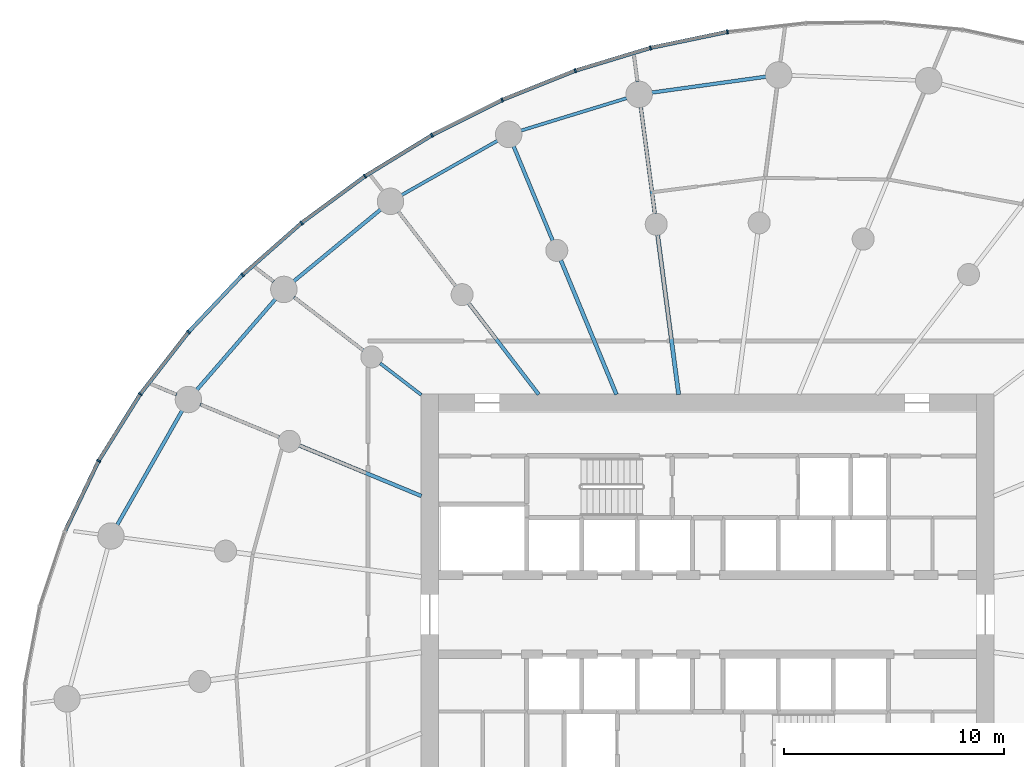
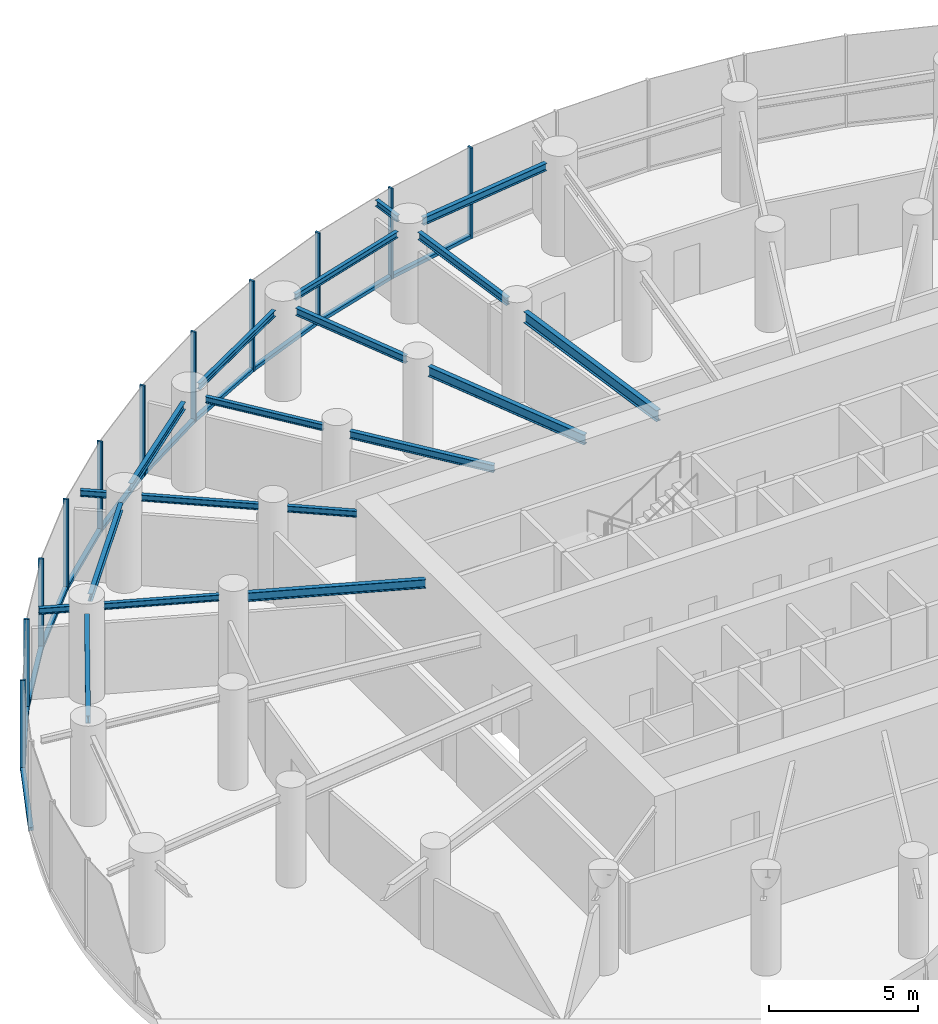
# One storey, part 6 of 17: 22 members, 19 beams, 3 elements without a shape of their own.
"""IFC4 building model written with IfcOpenShell, lengths in metres."""

from ifc_helpers import new_model, si_unit, direction, frame, origin, origin_2d, place, context, subcontext, project, spatial, rectangle, i_section, extrude, source, transform, mapped, material, layer, layer_set, material_profile, profile_set, type_object, element, aggregate, save


model = new_model("IFC4")

# Units and contexts
model_context = context("Model", 3, precision=1e-05, world=origin(), true_north=direction((0.0, 1.0)))
body_context = subcontext(model_context, "Body", "Model", "MODEL_VIEW")
ifc_project = project(units=[si_unit("LENGTHUNIT", "METRE"), si_unit("AREAUNIT", "SQUARE_METRE"), si_unit("VOLUMEUNIT", "CUBIC_METRE"), si_unit("PLANEANGLEUNIT", "RADIAN"), si_unit("MASSUNIT", "GRAM", prefix="KILO")], contexts=[model_context])

# Site, building, storey
site_placement = place(None, origin())
site = spatial("IfcSite", under=ifc_project, at=site_placement, CompositionType="ELEMENT")
building_placement = place(site_placement, origin())
building = spatial("IfcBuilding", under=site, at=building_placement, Name="Spindrift Exchange Tower", CompositionType="ELEMENT")
storey_placement = place(building_placement, frame((0.0, 0.0, 112.60009765625)))
storey = spatial("IfcBuildingStorey", under=building, at=storey_placement, Name="L26", CompositionType="ELEMENT", Elevation=112.60009765625)

# Beams
ifc_material_1 = material(Name="Steel Grade 300", Category="steel")
ifc_material_profile_1 = material_profile(ifc_material_1, i_section(OverallWidth=0.18994140625, OverallDepth=0.45703125, WebThickness=0.009033203125, FlangeThickness=0.014404296875, FilletRadius=0.013916015625, at=origin_2d()), Name="460UB74.6")
ifc_profile_set_1 = profile_set([ifc_material_profile_1], Name="Steel Grade 300")
beam_type_1 = type_object("IfcBeamType", Name="Floor Beam 460UB74.6 Steel Grade 300", PredefinedType="BEAM", material=ifc_profile_set_1)
shared_shape_1 = source(origin(), body_context, "Body", "SweptSolid", [
    extrude(i_section(OverallWidth=0.18994140625, OverallDepth=0.45703125, WebThickness=0.009033203125, FlangeThickness=0.014404296875, FilletRadius=0.013916015625, at=origin_2d()), origin(), (0.0, 0.0, 1.0), 7.3095703125),
])
beam_1_placement = place(storey_placement, frame((50.68603515625, 57.980224609375, 3.471435546875), z_axis=(-0.130527087244, 0.991444743541, 0.0), x_axis=(-0.991444743541, -0.130527087244, 0.0)))
element("IfcBeam", 1, at=beam_1_placement, inside=storey, type_object=beam_type_1, Name="L26 radial beam R07A", PredefinedType="BEAM", context=body_context, shape_type="MappedRepresentation", body=[
    mapped(shared_shape_1, transform((0.0, 0.0, 0.0), scale=1.0)),
])
ifc_material_profile_2 = material_profile(ifc_material_1, i_section(OverallWidth=0.177978515625, OverallDepth=0.406005859375, WebThickness=0.0078125, FlangeThickness=0.0126953125, FilletRadius=0.013916015625, at=origin_2d()), Name="410UB59.7")
ifc_profile_set_2 = profile_set([ifc_material_profile_2], Name="Steel Grade 300")
beam_type_2 = type_object("IfcBeamType", Name="Floor Beam 410UB59.7 Steel Grade 300", PredefinedType="BEAM", material=ifc_profile_set_2)
shared_shape_2 = source(origin(), body_context, "Body", "SweptSolid", [
    extrude(i_section(OverallWidth=0.177978515625, OverallDepth=0.406005859375, WebThickness=0.0078125, FlangeThickness=0.0126953125, FilletRadius=0.013916015625, at=origin_2d()), origin(), (0.0, 0.0, 1.0), 6.594482421875),
])
beam_2_placement = place(storey_placement, frame((47.865478515625, 57.9814453125, 3.496826171875), z_axis=(-0.382692929746, 0.92387559851, 0.0), x_axis=(-0.92387559851, -0.382692929746, 0.0)))
element("IfcBeam", 2, at=beam_2_placement, inside=storey, type_object=beam_type_2, Name="L26 radial beam R08A", PredefinedType="BEAM", context=body_context, shape_type="MappedRepresentation", body=[
    mapped(shared_shape_2, transform((0.0, 0.0, 0.0), scale=1.0)),
])
ifc_material_profile_3 = material_profile(ifc_material_1, i_section(OverallWidth=0.1650390625, OverallDepth=0.303955078125, WebThickness=0.006103515625, FlangeThickness=0.01025390625, FilletRadius=0.011474609375, at=origin_2d()), Name="310UB40.4")
ifc_profile_set_3 = profile_set([ifc_material_profile_3], Name="Steel Grade 300")
beam_type_3 = type_object("IfcBeamType", Name="Floor Beam 310UB40.4 Steel Grade 300", PredefinedType="BEAM", material=ifc_profile_set_3)
shared_shape_3 = source(origin(), body_context, "Body", "SweptSolid", [
    extrude(i_section(OverallWidth=0.1650390625, OverallDepth=0.303955078125, WebThickness=0.006103515625, FlangeThickness=0.01025390625, FilletRadius=0.011474609375, at=origin_2d()), origin(), (0.0, 0.0, 1.0), 5.224609375),
])
beam_3_placement = place(storey_placement, frame((44.3388671875, 57.984130859375, 3.5478515625), z_axis=(-0.608741499316, 0.793368632485, 0.0), x_axis=(-0.793368632485, -0.608741499316, 0.0)))
element("IfcBeam", 3, at=beam_3_placement, inside=storey, type_object=beam_type_3, Name="L26 radial beam R09A", PredefinedType="BEAM", context=body_context, shape_type="MappedRepresentation", body=[
    mapped(shared_shape_3, transform((0.0, 0.0, 0.0), scale=1.0)),
])
ifc_material_profile_4 = material_profile(ifc_material_1, i_section(OverallWidth=0.14599609375, OverallDepth=0.251953125, WebThickness=0.006103515625, FlangeThickness=0.008544921875, FilletRadius=0.011962890625, at=origin_2d()), Name="250UB31.4")
ifc_profile_set_4 = profile_set([ifc_material_profile_4], Name="Steel Grade 300")
beam_type_4 = type_object("IfcBeamType", Name="Floor Beam 250UB31.4 Steel Grade 300", PredefinedType="BEAM", material=ifc_profile_set_4)
shared_shape_4 = source(origin(), body_context, "Body", "SweptSolid", [
    extrude(i_section(OverallWidth=0.14599609375, OverallDepth=0.251953125, WebThickness=0.006103515625, FlangeThickness=0.008544921875, FilletRadius=0.011962890625, at=origin_2d()), origin(), (0.0, 0.0, 1.0), 2.353759765625),
])
beam_4_placement = place(storey_placement, frame((39.015869140625, 57.963134765625, 3.573974609375), z_axis=(-0.793367573265, 0.608742879787, 0.0), x_axis=(-0.608742879787, -0.793367573265, 0.0)))
element("IfcBeam", 4, at=beam_4_placement, inside=storey, type_object=beam_type_4, Name="L26 radial beam R10A", PredefinedType="BEAM", context=body_context, shape_type="MappedRepresentation", body=[
    mapped(shared_shape_4, transform((0.0, 0.0, 0.0), scale=1.0)),
])
ifc_material_profile_5 = material_profile(ifc_material_1, i_section(OverallWidth=0.172119140625, OverallDepth=0.35888671875, WebThickness=0.008056640625, FlangeThickness=0.012939453125, FilletRadius=0.013916015625, at=origin_2d()), Name="360UB56.7")
ifc_profile_set_5 = profile_set([ifc_material_profile_5], Name="Steel Grade 300")
beam_type_5 = type_object("IfcBeamType", Name="Floor Beam 360UB56.7 Steel Grade 300", PredefinedType="BEAM", material=ifc_profile_set_5)
shared_shape_5 = source(origin(), body_context, "Body", "SweptSolid", [
    extrude(i_section(OverallWidth=0.172119140625, OverallDepth=0.35888671875, WebThickness=0.008056640625, FlangeThickness=0.012939453125, FilletRadius=0.013916015625, at=origin_2d()), origin(), (0.0, 0.0, 1.0), 6.004638671875),
])
beam_5_placement = place(storey_placement, frame((39.0185546875, 53.377197265625, 3.5205078125), z_axis=(-0.923882044911, 0.38267736684, 0.0), x_axis=(-0.38267736684, -0.923882044911, 0.0)))
element("IfcBeam", 5, at=beam_5_placement, inside=storey, type_object=beam_type_5, Name="L26 radial beam R11A", PredefinedType="BEAM", context=body_context, shape_type="MappedRepresentation", body=[
    mapped(shared_shape_5, transform((0.0, 0.0, 0.0), scale=1.0)),
])
shared_shape_6 = source(origin(), body_context, "Body", "SweptSolid", [
    extrude(i_section(OverallWidth=0.1650390625, OverallDepth=0.303955078125, WebThickness=0.006103515625, FlangeThickness=0.01025390625, FilletRadius=0.011474609375, at=origin_2d()), origin(), (0.0, 0.0, 1.0), 4.883056640625),
])
beam_6_placement = place(storey_placement, frame((49.606689453125, 66.17919921875, 3.5478515625), z_axis=(-0.130542457964, 0.991442719812, 0.0), x_axis=(-0.991442719812, -0.130542457964, 0.0)))
element("IfcBeam", 6, at=beam_6_placement, inside=storey, type_object=beam_type_3, Name="L26 radial beam R07B", PredefinedType="BEAM", context=body_context, shape_type="MappedRepresentation", body=[
    mapped(shared_shape_6, transform((0.0, 0.0, 0.0), scale=1.0)),
])
shared_shape_7 = source(origin(), body_context, "Body", "SweptSolid", [
    extrude(i_section(OverallWidth=0.1650390625, OverallDepth=0.303955078125, WebThickness=0.006103515625, FlangeThickness=0.01025390625, FilletRadius=0.011474609375, at=origin_2d()), origin(), (0.0, 0.0, 1.0), 4.63671875),
])
beam_7_placement = place(storey_placement, frame((44.974609375, 64.9609375, 3.5478515625), z_axis=(-0.382692818086, 0.923875644763, 0.0), x_axis=(-0.923875644763, -0.382692818086, 0.0)))
element("IfcBeam", 7, at=beam_7_placement, inside=storey, type_object=beam_type_3, Name="L26 radial beam R08B", PredefinedType="BEAM", context=body_context, shape_type="MappedRepresentation", body=[
    mapped(shared_shape_7, transform((0.0, 0.0, 0.0), scale=1.0)),
])
shared_shape_8 = source(origin(), body_context, "Body", "SweptSolid", [
    extrude(i_section(OverallWidth=0.14599609375, OverallDepth=0.251953125, WebThickness=0.006103515625, FlangeThickness=0.008544921875, FilletRadius=0.011962890625, at=origin_2d()), origin(), (0.0, 0.0, 1.0), 4.27587890625),
])
beam_8_placement = place(storey_placement, frame((40.573974609375, 62.890625, 3.573974609375), z_axis=(-0.608725184746, 0.793381150177, 0.0), x_axis=(-0.793381150177, -0.608725184746, 0.0)))
element("IfcBeam", 8, at=beam_8_placement, inside=storey, type_object=beam_type_4, Name="L26 radial beam R09B", PredefinedType="BEAM", context=body_context, shape_type="MappedRepresentation", body=[
    mapped(shared_shape_8, transform((0.0, 0.0, 0.0), scale=1.0)),
])
shared_shape_9 = source(origin(), body_context, "Body", "SweptSolid", [
    extrude(i_section(OverallWidth=0.14599609375, OverallDepth=0.251953125, WebThickness=0.006103515625, FlangeThickness=0.008544921875, FilletRadius=0.011962890625, at=origin_2d()), origin(), (0.0, 0.0, 1.0), 3.966064453125),
])
beam_9_placement = place(storey_placement, frame((36.38671875, 59.98046875, 3.573974609375), z_axis=(-0.79336256318, 0.608749409318, 0.0), x_axis=(-0.608749409318, -0.79336256318, 0.0)))
element("IfcBeam", 9, at=beam_9_placement, inside=storey, type_object=beam_type_4, Name="L26 radial beam R10B", PredefinedType="BEAM", context=body_context, shape_type="MappedRepresentation", body=[
    mapped(shared_shape_9, transform((0.0, 0.0, 0.0), scale=1.0)),
])
shared_shape_10 = source(origin(), body_context, "Body", "SweptSolid", [
    extrude(i_section(OverallWidth=0.14599609375, OverallDepth=0.251953125, WebThickness=0.006103515625, FlangeThickness=0.008544921875, FilletRadius=0.011962890625, at=origin_2d()), origin(), (0.0, 0.0, 1.0), 3.892333984375),
])
beam_10_placement = place(storey_placement, frame((32.583984375, 56.04248046875, 3.573974609375), z_axis=(-0.923878458273, 0.382686025794, 0.0), x_axis=(-0.382686025794, -0.923878458273, 0.0)))
element("IfcBeam", 10, at=beam_10_placement, inside=storey, type_object=beam_type_4, Name="L26 radial beam R11B", PredefinedType="BEAM", context=body_context, shape_type="MappedRepresentation", body=[
    mapped(shared_shape_10, transform((0.0, 0.0, 0.0), scale=1.0)),
])
ifc_material_profile_6 = material_profile(ifc_material_1, i_section(OverallWidth=0.1650390625, OverallDepth=0.303955078125, WebThickness=0.006103515625, FlangeThickness=0.01025390625, FilletRadius=0.011474609375, at=origin_2d()), Name="310UB40.4")
ifc_profile_set_6 = profile_set([ifc_material_profile_6], Name="Steel Grade 300")
beam_type_6 = type_object("IfcBeamType", Name="Edge Beam 310UB40.4 Steel Grade 300", PredefinedType="SPANDREL", material=ifc_profile_set_6)
shared_shape_11 = source(origin(), body_context, "Body", "SweptSolid", [
    extrude(i_section(OverallWidth=0.1650390625, OverallDepth=0.303955078125, WebThickness=0.006103515625, FlangeThickness=0.01025390625, FilletRadius=0.011474609375, at=origin_2d()), origin(), (0.0, 0.0, 1.0), 5.22998046875),
])
beam_11_placement = place(storey_placement, frame((54.64794921875, 72.396728515625, 3.5478515625), z_axis=(-0.990440078597, -0.137943650481, 0.0), x_axis=(0.137943650481, -0.990440078597, 0.0)))
element("IfcBeam", 11, at=beam_11_placement, inside=storey, type_object=beam_type_6, Name="L26 edge beam E06", PredefinedType="SPANDREL", context=body_context, shape_type="MappedRepresentation", body=[
    mapped(shared_shape_11, transform((0.0, 0.0, 0.0), scale=1.0)),
])
ifc_material_profile_7 = material_profile(ifc_material_1, i_section(OverallWidth=0.14599609375, OverallDepth=0.251953125, WebThickness=0.006103515625, FlangeThickness=0.008544921875, FilletRadius=0.011962890625, at=origin_2d()), Name="250UB31.4")
ifc_profile_set_7 = profile_set([ifc_material_profile_7], Name="Steel Grade 300")
beam_type_7 = type_object("IfcBeamType", Name="Edge Beam 250UB31.4 Steel Grade 300", PredefinedType="SPANDREL", material=ifc_profile_set_7)
shared_shape_12 = source(origin(), body_context, "Body", "SweptSolid", [
    extrude(i_section(OverallWidth=0.14599609375, OverallDepth=0.251953125, WebThickness=0.006103515625, FlangeThickness=0.008544921875, FilletRadius=0.011962890625, at=origin_2d()), origin(), (0.0, 0.0, 1.0), 5.027587890625),
])
beam_12_placement = place(storey_placement, frame((48.339111328125, 71.42529296875, 3.573974609375), z_axis=(-0.956018084082, -0.293307727325, 0.0), x_axis=(0.293307727325, -0.956018084082, 0.0)))
element("IfcBeam", 12, at=beam_12_placement, inside=storey, type_object=beam_type_7, Name="L26 edge beam E07", PredefinedType="SPANDREL", context=body_context, shape_type="MappedRepresentation", body=[
    mapped(shared_shape_12, transform((0.0, 0.0, 0.0), scale=1.0)),
])
shared_shape_13 = source(origin(), body_context, "Body", "SweptSolid", [
    extrude(i_section(OverallWidth=0.14599609375, OverallDepth=0.251953125, WebThickness=0.006103515625, FlangeThickness=0.008544921875, FilletRadius=0.011962890625, at=origin_2d()), origin(), (0.0, 0.0, 1.0), 5.0009765625),
])
beam_13_placement = place(storey_placement, frame((42.4736328125, 69.494384765625, 3.573974609375), z_axis=(-0.870045916697, -0.492970691663, 0.0), x_axis=(0.492970691663, -0.870045916697, 0.0)))
element("IfcBeam", 13, at=beam_13_placement, inside=storey, type_object=beam_type_7, Name="L26 edge beam E08", PredefinedType="SPANDREL", context=body_context, shape_type="MappedRepresentation", body=[
    mapped(shared_shape_13, transform((0.0, 0.0, 0.0), scale=1.0)),
])
shared_shape_14 = source(origin(), body_context, "Body", "SweptSolid", [
    extrude(i_section(OverallWidth=0.1650390625, OverallDepth=0.303955078125, WebThickness=0.006103515625, FlangeThickness=0.01025390625, FilletRadius=0.011474609375, at=origin_2d()), origin(), (0.0, 0.0, 1.0), 5.114501953125),
])
beam_14_placement = place(storey_placement, frame((37.1708984375, 66.373779296875, 3.5478515625), z_axis=(-0.771073837992, -0.63674573918, 0.0), x_axis=(0.63674573918, -0.771073837992, 0.0)))
element("IfcBeam", 14, at=beam_14_placement, inside=storey, type_object=beam_type_6, Name="L26 edge beam E09", PredefinedType="SPANDREL", context=body_context, shape_type="MappedRepresentation", body=[
    mapped(shared_shape_14, transform((0.0, 0.0, 0.0), scale=1.0)),
])
shared_shape_15 = source(origin(), body_context, "Body", "SweptSolid", [
    extrude(i_section(OverallWidth=0.1650390625, OverallDepth=0.303955078125, WebThickness=0.006103515625, FlangeThickness=0.01025390625, FilletRadius=0.011474609375, at=origin_2d()), origin(), (0.0, 0.0, 1.0), 5.448486328125),
])
beam_15_placement = place(storey_placement, frame((32.400390625, 62.3095703125, 3.5478515625), z_axis=(-0.654922008827, -0.755696475018, 0.0), x_axis=(0.755696475018, -0.654922008827, 0.0)))
element("IfcBeam", 15, at=beam_15_placement, inside=storey, type_object=beam_type_6, Name="L26 edge beam E10", PredefinedType="SPANDREL", context=body_context, shape_type="MappedRepresentation", body=[
    mapped(shared_shape_15, transform((0.0, 0.0, 0.0), scale=1.0)),
])
shared_shape_16 = source(origin(), body_context, "Body", "SweptSolid", [
    extrude(i_section(OverallWidth=0.1650390625, OverallDepth=0.303955078125, WebThickness=0.006103515625, FlangeThickness=0.01025390625, FilletRadius=0.011474609375, at=origin_2d()), origin(), (0.0, 0.0, 1.0), 5.9599609375),
])
beam_16_placement = place(storey_placement, frame((28.165771484375, 57.24951171875, 3.5478515625), z_axis=(-0.493940434745, -0.869495742901, 0.0), x_axis=(0.869495742901, -0.493940434745, 0.0)))
element("IfcBeam", 16, at=beam_16_placement, inside=storey, type_object=beam_type_6, Name="L26 edge beam E11", PredefinedType="SPANDREL", context=body_context, shape_type="MappedRepresentation", body=[
    mapped(shared_shape_16, transform((0.0, 0.0, 0.0), scale=1.0)),
])
ifc_material_profile_8 = material_profile(ifc_material_1, i_section(OverallWidth=0.14599609375, OverallDepth=0.251953125, WebThickness=0.006103515625, FlangeThickness=0.008544921875, FilletRadius=0.011962890625, at=origin_2d()), Name="250UB31.4")
ifc_profile_set_8 = profile_set([ifc_material_profile_8], Name="Steel Grade 300")
beam_type_8 = type_object("IfcBeamType", Name="Cantilever Beam 250UB31.4 Steel Grade 300", PredefinedType="BEAM", material=ifc_profile_set_8)
shared_shape_17 = source(origin(), body_context, "Body", "SweptSolid", [
    extrude(i_section(OverallWidth=0.14599609375, OverallDepth=0.251953125, WebThickness=0.006103515625, FlangeThickness=0.008544921875, FilletRadius=0.011962890625, at=origin_2d()), origin(), (0.0, 0.0, 1.0), 1.180908203125),
])
beam_17_placement = place(storey_placement, frame((48.81787109375, 72.17041015625, 3.573974609375), z_axis=(-0.130443817437, 0.991455702738, 0.0), x_axis=(-0.991455702738, -0.130443817437, 0.0)))
element("IfcBeam", 17, at=beam_17_placement, inside=storey, type_object=beam_type_8, Name="L26 cantilever beam R07T", PredefinedType="BEAM", context=body_context, shape_type="MappedRepresentation", body=[
    mapped(shared_shape_17, transform((0.0, 0.0, 0.0), scale=1.0)),
])
shared_shape_18 = source(origin(), body_context, "Body", "SweptSolid", [
    extrude(i_section(OverallWidth=0.14599609375, OverallDepth=0.251953125, WebThickness=0.006103515625, FlangeThickness=0.008544921875, FilletRadius=0.011962890625, at=origin_2d()), origin(), (0.0, 0.0, 1.0), 0.896484375),
])
beam_18_placement = place(storey_placement, frame((32.320068359375, 63.10107421875, 3.573974609375), z_axis=(-0.793483628904, 0.608591595951, 0.0), x_axis=(-0.608591595951, -0.793483628904, 0.0)))
element("IfcBeam", 18, at=beam_18_placement, inside=storey, type_object=beam_type_8, Name="L26 cantilever beam R10T", PredefinedType="BEAM", context=body_context, shape_type="MappedRepresentation", body=[
    mapped(shared_shape_18, transform((0.0, 0.0, 0.0), scale=1.0)),
])
shared_shape_19 = source(origin(), body_context, "Body", "SweptSolid", [
    extrude(i_section(OverallWidth=0.14599609375, OverallDepth=0.251953125, WebThickness=0.006103515625, FlangeThickness=0.008544921875, FilletRadius=0.011962890625, at=origin_2d()), origin(), (0.0, 0.0, 1.0), 1.03564453125),
])
beam_19_placement = place(storey_placement, frame((27.91650390625, 57.975830078125, 3.573974609375), z_axis=(-0.92390478154, 0.38262247013, 0.0), x_axis=(-0.38262247013, -0.92390478154, 0.0)))
element("IfcBeam", 19, at=beam_19_placement, inside=storey, type_object=beam_type_8, Name="L26 cantilever beam R11T", PredefinedType="BEAM", context=body_context, shape_type="MappedRepresentation", body=[
    mapped(shared_shape_19, transform((0.0, 0.0, 0.0), scale=1.0)),
])

# Curtain wall, members
ifc_material_2 = material(Name="Fritted laminated glass with bronze frame", Category="glass")
ifc_layer = layer(ifc_material_2, 0.18994140625)
ifc_layer_set = layer_set([ifc_layer], Name="ZONE 2 BRONZE FRITTED WALL")
curtain_wall_type = type_object("IfcCurtainWallType", Name="ZONE 2 BRONZE FRITTED WALL", PredefinedType="NOTDEFINED", material=ifc_layer_set)
curtain_wall_1_placement = place(storey_placement, origin())
curtain_wall_1 = element("IfcCurtainWall", 20, at=curtain_wall_1_placement, inside=storey, type_object=curtain_wall_type, Name="L26 Zone 2 Bronze Fritted Wall run 2", PredefinedType="NOTDEFINED")
ifc_material_3 = material(Name="Bronze anodised aluminium", Category="aluminium")
ifc_material_profile_9 = material_profile(ifc_material_3, rectangle(XDim=0.074951171875, YDim=0.18994140625, at=origin_2d()), Name="ZONE 2 BRONZE FRITTED WALL MULLION 75X190")
ifc_profile_set_9 = profile_set([ifc_material_profile_9], Name="Bronze anodised aluminium")
member_type_1 = type_object("IfcMemberType", Name="ZONE 2 BRONZE FRITTED WALL MULLION 75X190", PredefinedType="MULLION", material=ifc_profile_set_9)
shared_shape_20 = source(origin(), body_context, "Body", "SweptSolid", [
    extrude(rectangle(XDim=0.074951171875, YDim=0.18994140625, at=origin_2d()), origin(), (0.0, 0.0, 1.0), 3.699951171875),
])
member_1_placement = place(storey_placement, frame((52.900634765625, 74.4296875, 0.0), z_axis=(0.0, 0.0, 1.0), x_axis=(-0.987460692083, -0.157865074005, 0.0)))
member_1 = element("IfcMember", 21, at=member_1_placement, type_object=member_type_1, Name="L26 mullion CW-2.10", PredefinedType="MULLION", context=body_context, shape_type="MappedRepresentation", body=[
    mapped(shared_shape_20, transform((0.0, 0.0, 0.0), scale=1.0)),
])
member_2_placement = place(storey_placement, frame((49.408935546875, 73.702880859375, 0.0), z_axis=(0.0, 0.0, 1.0), x_axis=(-0.968955910996, -0.247233578921, 0.0)))
member_2 = element("IfcMember", 22, at=member_2_placement, type_object=member_type_1, Name="L26 mullion CW-2.11", PredefinedType="MULLION", context=body_context, shape_type="MappedRepresentation", body=[
    mapped(shared_shape_20, transform((0.0, 0.0, 0.0), scale=1.0)),
])
member_3_placement = place(storey_placement, frame((45.995849609375, 72.66796875, 0.0), z_axis=(0.0, 0.0, 1.0), x_axis=(-0.943587152315, -0.331124275744, 0.0)))
member_3 = element("IfcMember", 23, at=member_3_placement, type_object=member_type_1, Name="L26 mullion CW-2.12", PredefinedType="MULLION", context=body_context, shape_type="MappedRepresentation", body=[
    mapped(shared_shape_20, transform((0.0, 0.0, 0.0), scale=1.0)),
])

curtain_wall_2_placement = place(storey_placement, origin())
curtain_wall_2 = element("IfcCurtainWall", 24, at=curtain_wall_2_placement, inside=storey, type_object=curtain_wall_type, Name="L26 Zone 2 Bronze Fritted Wall run 3", PredefinedType="NOTDEFINED")
member_4_placement = place(storey_placement, frame((42.684326171875, 71.343017578125, 0.0), z_axis=(0.0, 0.0, 1.0), x_axis=(-0.911892864022, -0.410428318402, 0.0)))
member_4 = element("IfcMember", 25, at=member_4_placement, type_object=member_type_1, Name="L26 mullion CW-2.13", PredefinedType="MULLION", context=body_context, shape_type="MappedRepresentation", body=[
    mapped(shared_shape_20, transform((0.0, 0.0, 0.0), scale=1.0)),
])
member_5_placement = place(storey_placement, frame((39.496826171875, 69.742919921875, 0.0), z_axis=(0.0, 0.0, 1.0), x_axis=(-0.874003046913, -0.485920439976, 0.0)))
member_5 = element("IfcMember", 26, at=member_5_placement, type_object=member_type_1, Name="L26 mullion CW-2.14", PredefinedType="MULLION", context=body_context, shape_type="MappedRepresentation", body=[
    mapped(shared_shape_20, transform((0.0, 0.0, 0.0), scale=1.0)),
])
member_6_placement = place(storey_placement, frame((36.455322265625, 67.8798828125, 0.0), z_axis=(0.0, 0.0, 1.0), x_axis=(-0.829706867301, -0.558199350012, 0.0)))
member_6 = element("IfcMember", 27, at=member_6_placement, type_object=member_type_1, Name="L26 mullion CW-2.15", PredefinedType="MULLION", context=body_context, shape_type="MappedRepresentation", body=[
    mapped(shared_shape_20, transform((0.0, 0.0, 0.0), scale=1.0)),
])
member_7_placement = place(storey_placement, frame((33.58349609375, 65.7646484375, 0.0), z_axis=(0.0, 0.0, 1.0), x_axis=(-0.778458976475, -0.627695485045, 0.0)))
member_7 = element("IfcMember", 28, at=member_7_placement, type_object=member_type_1, Name="L26 mullion CW-2.16", PredefinedType="MULLION", context=body_context, shape_type="MappedRepresentation", body=[
    mapped(shared_shape_20, transform((0.0, 0.0, 0.0), scale=1.0)),
])
member_8_placement = place(storey_placement, frame((30.90771484375, 63.406494140625, 0.0), z_axis=(0.0, 0.0, 1.0), x_axis=(-0.719389315952, -0.694607091883, 0.0)))
member_8 = element("IfcMember", 29, at=member_8_placement, type_object=member_type_1, Name="L26 mullion CW-2.17", PredefinedType="MULLION", context=body_context, shape_type="MappedRepresentation", body=[
    mapped(shared_shape_20, transform((0.0, 0.0, 0.0), scale=1.0)),
])
member_9_placement = place(storey_placement, frame((28.45751953125, 60.815185546875, 0.0), z_axis=(0.0, 0.0, 1.0), x_axis=(-0.651254970929, -0.758858987455, 0.0)))
member_9 = element("IfcMember", 30, at=member_9_placement, type_object=member_type_1, Name="L26 mullion CW-2.18", PredefinedType="MULLION", context=body_context, shape_type="MappedRepresentation", body=[
    mapped(shared_shape_20, transform((0.0, 0.0, 0.0), scale=1.0)),
])

curtain_wall_3_placement = place(storey_placement, origin())
curtain_wall_3 = element("IfcCurtainWall", 31, at=curtain_wall_3_placement, inside=storey, type_object=curtain_wall_type, Name="L26 Zone 2 Bronze Fritted Wall run 4", PredefinedType="NOTDEFINED")
member_10_placement = place(storey_placement, frame((26.267822265625, 58.000244140625, 0.0), z_axis=(0.0, 0.0, 1.0), x_axis=(-0.57249354118, -0.81990922992, 0.0)))
member_10 = element("IfcMember", 32, at=member_10_placement, type_object=member_type_1, Name="L26 mullion CW-2.19", PredefinedType="MULLION", context=body_context, shape_type="MappedRepresentation", body=[
    mapped(shared_shape_20, transform((0.0, 0.0, 0.0), scale=1.0)),
])
member_11_placement = place(storey_placement, frame((24.379638671875, 54.97509765625, 0.0), z_axis=(0.0, 0.0, 1.0), x_axis=(-0.481220501789, -0.876599582853, 0.0)))
member_11 = element("IfcMember", 33, at=member_11_placement, type_object=member_type_1, Name="L26 mullion CW-2.20", PredefinedType="MULLION", context=body_context, shape_type="MappedRepresentation", body=[
    mapped(shared_shape_20, transform((0.0, 0.0, 0.0), scale=1.0)),
])

# Member
ifc_material_profile_10 = material_profile(ifc_material_3, rectangle(XDim=0.169921875, YDim=0.139892578125, at=origin_2d()), Name="ZONE 2 BRONZE FRITTED WALL TRANSOM 170X140")
ifc_profile_set_10 = profile_set([ifc_material_profile_10], Name="Bronze anodised aluminium")
member_type_2 = type_object("IfcMemberType", Name="ZONE 2 BRONZE FRITTED WALL TRANSOM 170X140", PredefinedType="USERDEFINED", material=ifc_profile_set_10)
shared_shape_21 = source(origin(), body_context, "Body", "SweptSolid", [
    extrude(rectangle(XDim=0.169921875, YDim=0.139892578125, at=origin_2d()), origin(), (0.0, 0.0, 1.0), 3.4912109375),
])
member_12_placement = place(storey_placement, frame((52.86376953125, 74.422119140625, 0.06982421875), z_axis=(-0.979003684192, -0.203842552816, 0.0), x_axis=(0.203842552816, -0.979003684192, 0.0)))
member_12 = element("IfcMember", 34, at=member_12_placement, type_object=member_type_2, Name="L26 transom CW-2.10", ObjectType="TRANSOM", PredefinedType="USERDEFINED", context=body_context, shape_type="MappedRepresentation", body=[
    mapped(shared_shape_21, transform((0.0, 0.0, 0.0), scale=1.0)),
])

member_13_placement = place(storey_placement, frame((28.4345703125, 60.785400390625, 0.06982421875), z_axis=(-0.613993867237, -0.789310794932, 0.0), x_axis=(0.789310794932, -0.613993867237, 0.0)))
member_13 = element("IfcMember", 35, at=member_13_placement, type_object=member_type_2, Name="L26 transom CW-2.18", ObjectType="TRANSOM", PredefinedType="USERDEFINED", context=body_context, shape_type="MappedRepresentation", body=[
    mapped(shared_shape_21, transform((0.0, 0.0, 0.0), scale=1.0)),
])

member_14_placement = place(storey_placement, frame((26.248046875, 57.968505859375, 0.06982421875), z_axis=(-0.529451949162, -0.848339928053, 0.0), x_axis=(0.848339928053, -0.529451949162, 0.0)))
member_14 = element("IfcMember", 36, at=member_14_placement, type_object=member_type_2, Name="L26 transom CW-2.19", ObjectType="TRANSOM", PredefinedType="USERDEFINED", context=body_context, shape_type="MappedRepresentation", body=[
    mapped(shared_shape_21, transform((0.0, 0.0, 0.0), scale=1.0)),
])

shared_shape_22 = source(origin(), body_context, "Body", "SweptSolid", [
    extrude(rectangle(XDim=0.169921875, YDim=0.139892578125, at=origin_2d()), origin(), (0.0, 0.0, 1.0), 3.49169921875),
])
member_15_placement = place(storey_placement, frame((45.9609375, 72.654052734375, 0.06982421875), z_axis=(-0.928433284264, -0.371499174521, 0.0), x_axis=(0.371499174521, -0.928433284264, 0.0)))
member_15 = element("IfcMember", 37, at=member_15_placement, type_object=member_type_2, Name="L26 transom CW-2.12", ObjectType="TRANSOM", PredefinedType="USERDEFINED", context=body_context, shape_type="MappedRepresentation", body=[
    mapped(shared_shape_22, transform((0.0, 0.0, 0.0), scale=1.0)),
])

member_16_placement = place(storey_placement, frame((42.65087890625, 71.326171875, 0.06982421875), z_axis=(-0.893698855796, -0.448667310096, 0.0), x_axis=(0.448667310096, -0.893698855796, 0.0)))
member_16 = element("IfcMember", 38, at=member_16_placement, type_object=member_type_2, Name="L26 transom CW-2.13", ObjectType="TRANSOM", PredefinedType="USERDEFINED", context=body_context, shape_type="MappedRepresentation", body=[
    mapped(shared_shape_22, transform((0.0, 0.0, 0.0), scale=1.0)),
])

member_17_placement = place(storey_placement, frame((39.46484375, 69.72314453125, 0.06982421875), z_axis=(-0.852755971993, -0.522309536798, 0.0), x_axis=(0.522309536798, -0.852755971993, 0.0)))
member_17 = element("IfcMember", 39, at=member_17_placement, type_object=member_type_2, Name="L26 transom CW-2.14", ObjectType="TRANSOM", PredefinedType="USERDEFINED", context=body_context, shape_type="MappedRepresentation", body=[
    mapped(shared_shape_22, transform((0.0, 0.0, 0.0), scale=1.0)),
])

member_18_placement = place(storey_placement, frame((36.425048828125, 67.857666015625, 0.06982421875), z_axis=(-0.805147215455, -0.593075004906, 0.0), x_axis=(0.593075004906, -0.805147215455, 0.0)))
member_18 = element("IfcMember", 40, at=member_18_placement, type_object=member_type_2, Name="L26 transom CW-2.15", ObjectType="TRANSOM", PredefinedType="USERDEFINED", context=body_context, shape_type="MappedRepresentation", body=[
    mapped(shared_shape_22, transform((0.0, 0.0, 0.0), scale=1.0)),
])

shared_shape_23 = source(origin(), body_context, "Body", "SweptSolid", [
    extrude(rectangle(XDim=0.169921875, YDim=0.139892578125, at=origin_2d()), origin(), (0.0, 0.0, 1.0), 3.490478515625),
])
member_19_placement = place(storey_placement, frame((24.363525390625, 54.941162109375, 0.06982421875), z_axis=(-0.431477771297, -0.902123568518, 0.0), x_axis=(0.902123568518, -0.431477771297, 0.0)))
member_19 = element("IfcMember", 41, at=member_19_placement, type_object=member_type_2, Name="L26 transom CW-2.20", ObjectType="TRANSOM", PredefinedType="USERDEFINED", context=body_context, shape_type="MappedRepresentation", body=[
    mapped(shared_shape_23, transform((0.0, 0.0, 0.0), scale=1.0)),
])

aggregate(curtain_wall_3, [member_10, member_14, member_11, member_19])

shared_shape_24 = source(origin(), body_context, "Body", "SweptSolid", [
    extrude(rectangle(XDim=0.169921875, YDim=0.139892578125, at=origin_2d()), origin(), (0.0, 0.0, 1.0), 3.491455078125),
])
member_20_placement = place(storey_placement, frame((49.373046875, 73.69189453125, 0.06982421875), z_axis=(-0.956971460785, -0.290182051897, 0.0), x_axis=(0.290182051897, -0.956971460785, 0.0)))
member_20 = element("IfcMember", 42, at=member_20_placement, type_object=member_type_2, Name="L26 transom CW-2.11", ObjectType="TRANSOM", PredefinedType="USERDEFINED", context=body_context, shape_type="MappedRepresentation", body=[
    mapped(shared_shape_24, transform((0.0, 0.0, 0.0), scale=1.0)),
])

aggregate(curtain_wall_1, [member_1, member_12, member_2, member_20, member_3, member_15])

member_21_placement = place(storey_placement, frame((33.555419921875, 65.73974609375, 0.06982421875), z_axis=(-0.750276411258, -0.661124274785, 0.0), x_axis=(0.661124274785, -0.750276411258, 0.0)))
member_21 = element("IfcMember", 43, at=member_21_placement, type_object=member_type_2, Name="L26 transom CW-2.16", ObjectType="TRANSOM", PredefinedType="USERDEFINED", context=body_context, shape_type="MappedRepresentation", body=[
    mapped(shared_shape_24, transform((0.0, 0.0, 0.0), scale=1.0)),
])

member_22_placement = place(storey_placement, frame((30.8818359375, 63.37939453125, 0.06982421875), z_axis=(-0.687005340753, -0.726652366525, 0.0), x_axis=(0.726652366525, -0.687005340753, 0.0)))
member_22 = element("IfcMember", 44, at=member_22_placement, type_object=member_type_2, Name="L26 transom CW-2.17", ObjectType="TRANSOM", PredefinedType="USERDEFINED", context=body_context, shape_type="MappedRepresentation", body=[
    mapped(shared_shape_24, transform((0.0, 0.0, 0.0), scale=1.0)),
])

aggregate(curtain_wall_2, [member_4, member_16, member_5, member_17, member_6, member_18, member_7, member_21, member_8, member_22, member_9, member_13])

save(model, "model.ifc")
